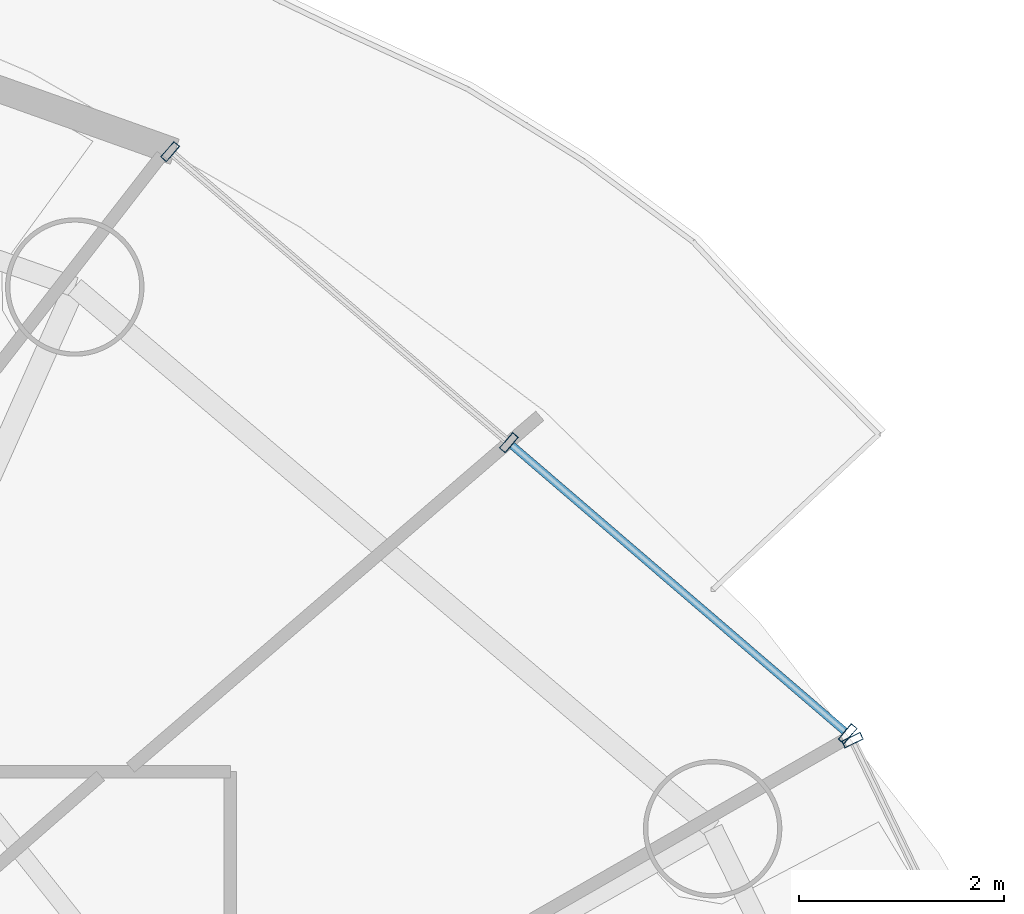
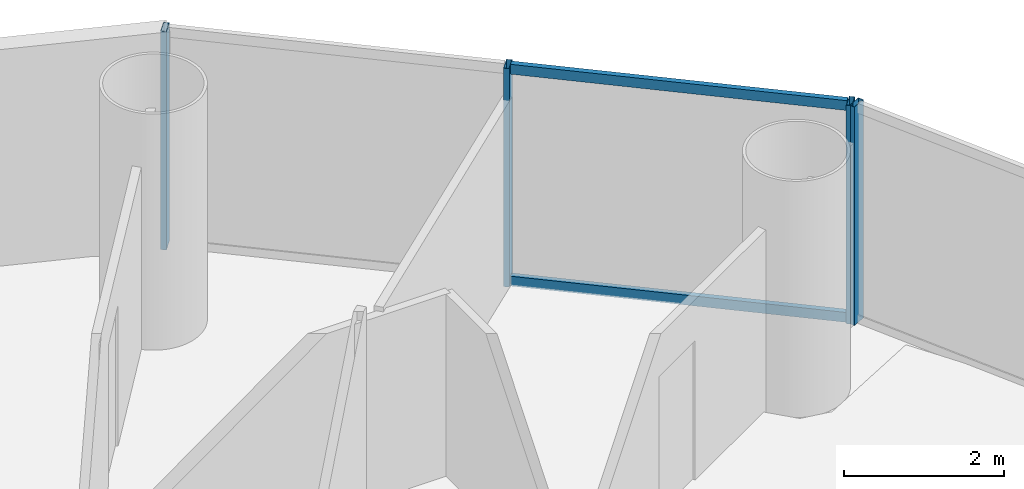
# One storey, part 19 of 27: 6 members, 2 elements without a shape of their own.
"""IFC4 building model written with IfcOpenShell, lengths in metres."""

from ifc_helpers import new_model, si_unit, direction, frame, origin, origin_2d, place, context, subcontext, project, spatial, hollow_rectangle, extrude, source, transform, mapped, material, material_profile, profile_set, type_object, element, aggregate, save


model = new_model("IFC4")

# Units and contexts
model_context = context("Model", 3, precision=1e-05, world=origin(), true_north=direction((-0.2419218956, 0.970295726276)))
body_context = subcontext(model_context, "Body", "Model", "MODEL_VIEW")
ifc_project = project(units=[si_unit("LENGTHUNIT", "METRE"), si_unit("AREAUNIT", "SQUARE_METRE"), si_unit("VOLUMEUNIT", "CUBIC_METRE"), si_unit("PLANEANGLEUNIT", "RADIAN"), si_unit("MASSUNIT", "GRAM", prefix="KILO")], contexts=[model_context])

# Site, building, storey
site_placement = place(None, origin())
site = spatial("IfcSite", under=ifc_project, at=site_placement, CompositionType="ELEMENT")
building_placement = place(site_placement, origin())
building = spatial("IfcBuilding", under=site, at=building_placement, Name="Cobrevalo Terracotta Tower", CompositionType="ELEMENT")
storey_placement = place(building_placement, frame((0.0, 0.0, 157.0)))
storey = spatial("IfcBuildingStorey", under=building, at=storey_placement, Name="L41", CompositionType="ELEMENT", Elevation=157.0)

# Curtain wall, member
ifc_material = material(Name="Anodized aluminium", Category="aluminium")
curtain_wall_type = type_object("IfcCurtainWallType", Name="Mid-tower high-wind unitised curtain wall CW-U2", PredefinedType="NOTDEFINED", material=ifc_material)
curtain_wall_1_placement = place(storey_placement, origin())
curtain_wall_1 = element("IfcCurtainWall", 1, at=curtain_wall_1_placement, inside=storey, type_object=curtain_wall_type, Name="L41 curtain wall CW-L41-S01", PredefinedType="NOTDEFINED")
ifc_material_profile_1 = material_profile(ifc_material, hollow_rectangle(XDim=0.074951171875, YDim=0.199951171875, WallThickness=0.0048828125, at=origin_2d()), Name="CWM 75x200")
ifc_profile_set_1 = profile_set([ifc_material_profile_1], Name="Anodized aluminium")
member_type_1 = type_object("IfcMemberType", Name="Lower/mid tower unitised mullion 75x200", PredefinedType="MULLION", material=ifc_profile_set_1)
shared_shape_1 = source(origin(), body_context, "Body", "SweptSolid", [
    extrude(hollow_rectangle(XDim=0.074951171875, YDim=0.199951171875, WallThickness=0.0048828125, at=origin_2d()), origin(), (0.0, 0.0, 1.0), 3.330078125),
])
member_1_placement = place(storey_placement, frame((58.114013671875, 38.30322265625, 0.0), z_axis=(0.0, 0.0, 1.0), x_axis=(-0.434209440271, 0.900811945957, 0.0)))
member_1 = element("IfcMember", 2, at=member_1_placement, type_object=member_type_1, Name="CW-L41-S01 vertical mullion 03", PredefinedType="MULLION", context=body_context, shape_type="MappedRepresentation", body=[
    mapped(shared_shape_1, transform((0.0, 0.0, 0.0), scale=1.0)),
])
aggregate(curtain_wall_1, [member_1])

# Curtain wall, members
curtain_wall_2_placement = place(storey_placement, origin())
curtain_wall_2 = element("IfcCurtainWall", 3, at=curtain_wall_2_placement, inside=storey, type_object=curtain_wall_type, Name="L41 curtain wall CW-L41-S02", PredefinedType="NOTDEFINED")
member_2_placement = place(storey_placement, frame((58.066162109375, 38.365234375, 0.0), z_axis=(0.0, 0.0, 1.0), x_axis=(-0.758441546142, 0.65174106905, 0.0)))
member_2 = element("IfcMember", 4, at=member_2_placement, type_object=member_type_1, Name="CW-L41-S02 vertical mullion 01", PredefinedType="MULLION", context=body_context, shape_type="MappedRepresentation", body=[
    mapped(shared_shape_1, transform((0.0, 0.0, 0.0), scale=1.0)),
])
member_3_placement = place(storey_placement, frame((54.762451171875, 41.204345703125, 0.0), z_axis=(0.0, 0.0, 1.0), x_axis=(-0.758441546142, 0.65174106905, 0.0)))
member_3 = element("IfcMember", 5, at=member_3_placement, type_object=member_type_1, Name="CW-L41-S02 vertical mullion 02", PredefinedType="MULLION", context=body_context, shape_type="MappedRepresentation", body=[
    mapped(shared_shape_1, transform((0.0, 0.0, 0.0), scale=1.0)),
])
member_4_placement = place(storey_placement, frame((51.45849609375, 44.04345703125, 0.0), z_axis=(0.0, 0.0, 1.0), x_axis=(-0.758441546142, 0.65174106905, 0.0)))
member_4 = element("IfcMember", 6, at=member_4_placement, type_object=member_type_1, Name="CW-L41-S02 vertical mullion 03", PredefinedType="MULLION", context=body_context, shape_type="MappedRepresentation", body=[
    mapped(shared_shape_1, transform((0.0, 0.0, 0.0), scale=1.0)),
])
ifc_material_profile_2 = material_profile(ifc_material, hollow_rectangle(XDim=0.074951171875, YDim=0.14990234375, WallThickness=0.00439453125, at=origin_2d()), Name="CWT 75x150")
ifc_profile_set_2 = profile_set([ifc_material_profile_2], Name="Anodized aluminium")
member_type_2 = type_object("IfcMemberType", Name="Tower unitised aluminium transom 75x150", PredefinedType="USERDEFINED", material=ifc_profile_set_2)
shared_shape_2 = source(origin(), body_context, "Body", "SweptSolid", [
    extrude(hollow_rectangle(XDim=0.074951171875, YDim=0.14990234375, WallThickness=0.00439453125, at=origin_2d()), origin(), (0.0, 0.0, 1.0), 4.276123046875),
])
member_5_placement = place(storey_placement, frame((58.035888671875, 38.391357421875, 0.050048828125), z_axis=(-0.758445941187, 0.65173595443, 0.0), x_axis=(-0.65173595443, -0.758445941187, 0.0)))
member_5 = element("IfcMember", 7, at=member_5_placement, type_object=member_type_2, Name="CW-L41-S02 transom B01-T1", ObjectType="TRANSOM", PredefinedType="USERDEFINED", context=body_context, shape_type="MappedRepresentation", body=[
    mapped(shared_shape_2, transform((0.0, 0.0, 0.0), scale=1.0)),
])
member_6_placement = place(storey_placement, frame((58.035888671875, 38.391357421875, 3.280029296875), z_axis=(-0.758445941187, 0.65173595443, 0.0), x_axis=(-0.65173595443, -0.758445941187, 0.0)))
member_6 = element("IfcMember", 8, at=member_6_placement, type_object=member_type_2, Name="CW-L41-S02 transom B01-T2", ObjectType="TRANSOM", PredefinedType="USERDEFINED", context=body_context, shape_type="MappedRepresentation", body=[
    mapped(shared_shape_2, transform((0.0, 0.0, 0.0), scale=1.0)),
])
aggregate(curtain_wall_2, [member_2, member_3, member_4, member_5, member_6])

save(model, "model.ifc")
